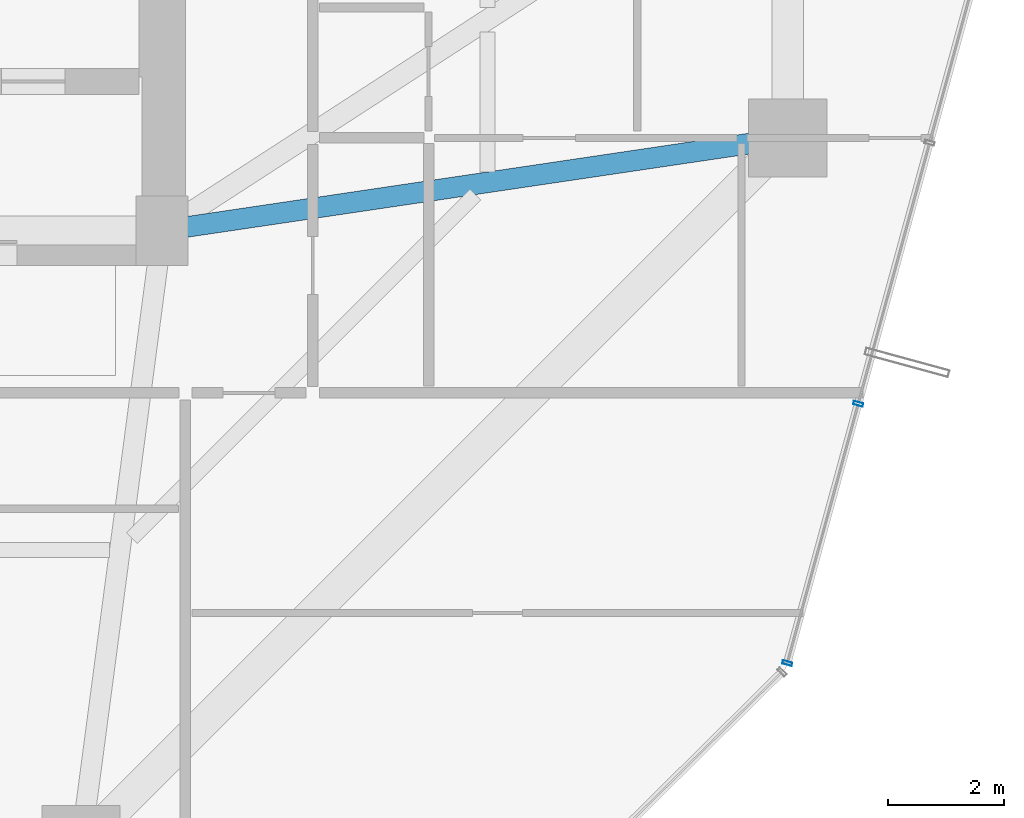
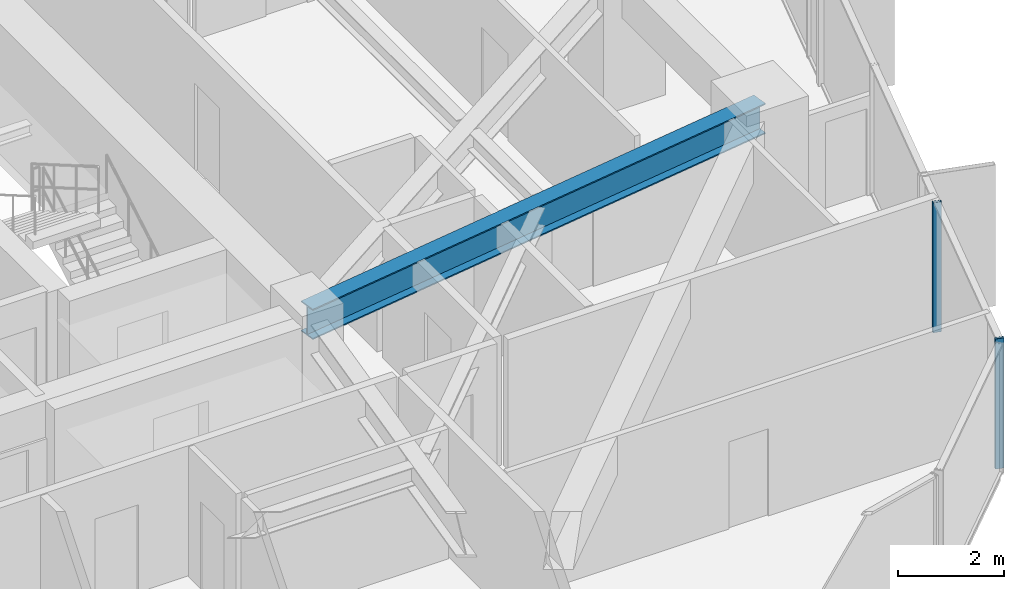
# One storey, part 15 of 39: 2 members, 1 beam, 1 element without a shape of its own.
"""IFC4 building model written with IfcOpenShell, lengths in metres."""

from ifc_helpers import new_model, si_unit, direction, frame, origin, origin_2d, place, context, subcontext, project, spatial, hollow_rectangle, i_section, extrude, source, transform, mapped, material, layer, layer_set, material_profile, profile_set, type_object, element, aggregate, save


model = new_model("IFC4")

# Units and contexts
model_context = context("Model", 3, precision=1e-05, world=origin(), true_north=direction((0.0, 1.0)))
body_context = subcontext(model_context, "Body", "Model", "MODEL_VIEW")
ifc_project = project(units=[si_unit("LENGTHUNIT", "METRE"), si_unit("AREAUNIT", "SQUARE_METRE"), si_unit("VOLUMEUNIT", "CUBIC_METRE"), si_unit("PLANEANGLEUNIT", "RADIAN"), si_unit("MASSUNIT", "GRAM", prefix="KILO")], contexts=[model_context])

# Site, building, storey
site_placement = place(None, origin())
site = spatial("IfcSite", under=ifc_project, at=site_placement, CompositionType="ELEMENT")
building_placement = place(site_placement, origin())
building = spatial("IfcBuilding", under=site, at=building_placement, Name="Veraguas Prism Commons", CompositionType="ELEMENT")
storey_placement = place(building_placement, frame((0.0, 0.0, 73.85009765625)))
storey = spatial("IfcBuildingStorey", under=building, at=storey_placement, Name="L20", CompositionType="ELEMENT", Elevation=73.85009765625)

# Beam
ifc_material_1 = material(Name="Steel ASTM A992 Grade 50", Category="steel")
ifc_material_profile_1 = material_profile(ifc_material_1, i_section(OverallWidth=0.35595703125, OverallDepth=0.700927734375, WebThickness=0.016845703125, FlangeThickness=0.02734375, at=origin_2d()), Name="W690X240")
ifc_profile_set_1 = profile_set([ifc_material_profile_1], Name="Steel ASTM A992 Grade 50")
beam_type = type_object("IfcBeamType", Name="Zone 1 Radial Girder W690x240", PredefinedType="BEAM", material=ifc_profile_set_1)
beam_placement = place(storey_placement, frame((41.60009765625, 18.60009765625, 2.6494140625), z_axis=(-0.989202261707, -0.146556765224, 0.0), x_axis=(0.146556765224, -0.989202261707, 0.0)))
element("IfcBeam", 1, at=beam_placement, inside=storey, type_object=beam_type, Name="Radial Floor Girder L20-RD01", PredefinedType="BEAM", context=body_context, shape_type="SweptSolid", body=[
    extrude(i_section(OverallWidth=0.35595703125, OverallDepth=0.700927734375, WebThickness=0.016845703125, FlangeThickness=0.02734375, at=origin_2d()), origin(), (0.0, 0.0, 1.0), 10.91796875),
])

# Curtain wall, members
ifc_material_2 = material(Name="Anodised aluminium EN AW-6063 T6", Category="aluminium")
ifc_layer = layer(ifc_material_2, 0.169921875, Name="Unitised Flush Curtain Wall Zone 1", Category="aluminium")
ifc_layer_set = layer_set([ifc_layer], Name="Anodised aluminium EN AW-6063 T6")
curtain_wall_type = type_object("IfcCurtainWallType", Name="Unitised Flush Curtain Wall Zone 1", PredefinedType="NOTDEFINED", material=ifc_layer_set)
curtain_wall_placement = place(storey_placement, origin())
curtain_wall = element("IfcCurtainWall", 2, at=curtain_wall_placement, inside=storey, type_object=curtain_wall_type, Name="Tower Facade Curtain Wall L20-F6", PredefinedType="NOTDEFINED")
ifc_material_profile_2 = material_profile(ifc_material_2, hollow_rectangle(XDim=0.06005859375, YDim=0.169921875, WallThickness=0.00390625, at=origin_2d()), Name="AL60X170X4")
ifc_profile_set_2 = profile_set([ifc_material_profile_2], Name="Anodised aluminium EN AW-6063 T6")
member_type = type_object("IfcMemberType", Name="Curtain Wall Mullion Lower AL 60x170x4", PredefinedType="MULLION", material=ifc_profile_set_2)
shared_shape = source(origin(), body_context, "Body", "SweptSolid", [
    extrude(hollow_rectangle(XDim=0.06005859375, YDim=0.169921875, WallThickness=0.00390625, at=origin_2d()), origin(), (0.0, 0.0, 1.0), 3.0),
])
member_1_placement = place(storey_placement, frame((41.5908203125, 9.53369140625, 0.0), z_axis=(0.0, 0.0, 1.0), x_axis=(0.26387978384, 0.964555576253, 0.0)))
member_1 = element("IfcMember", 3, at=member_1_placement, type_object=member_type, Name="CW-Z1 Mullion 1", PredefinedType="MULLION", context=body_context, shape_type="MappedRepresentation", body=[
    mapped(shared_shape, transform((0.0, 0.0, 0.0), scale=1.0)),
])
member_2_placement = place(storey_placement, frame((42.8154296875, 14.010009765625, 0.0), z_axis=(0.0, 0.0, 1.0), x_axis=(0.26387978384, 0.964555576253, 0.0)))
member_2 = element("IfcMember", 4, at=member_2_placement, type_object=member_type, Name="CW-Z1 Mullion 2", PredefinedType="MULLION", context=body_context, shape_type="MappedRepresentation", body=[
    mapped(shared_shape, transform((0.0, 0.0, 0.0), scale=1.0)),
])
aggregate(curtain_wall, [member_1, member_2])

save(model, "model.ifc")
